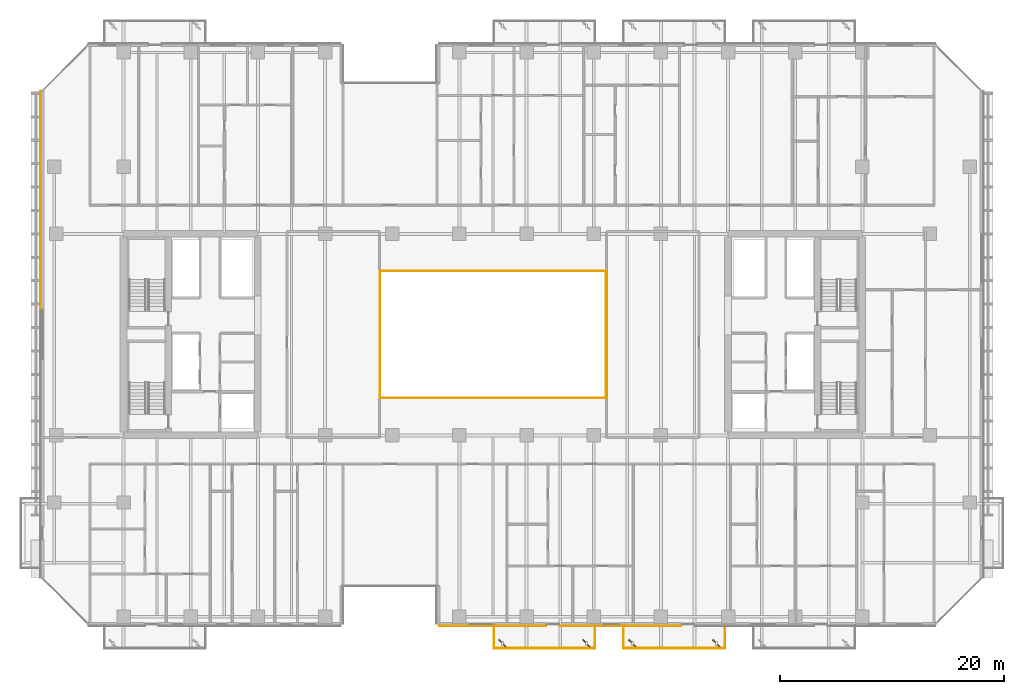
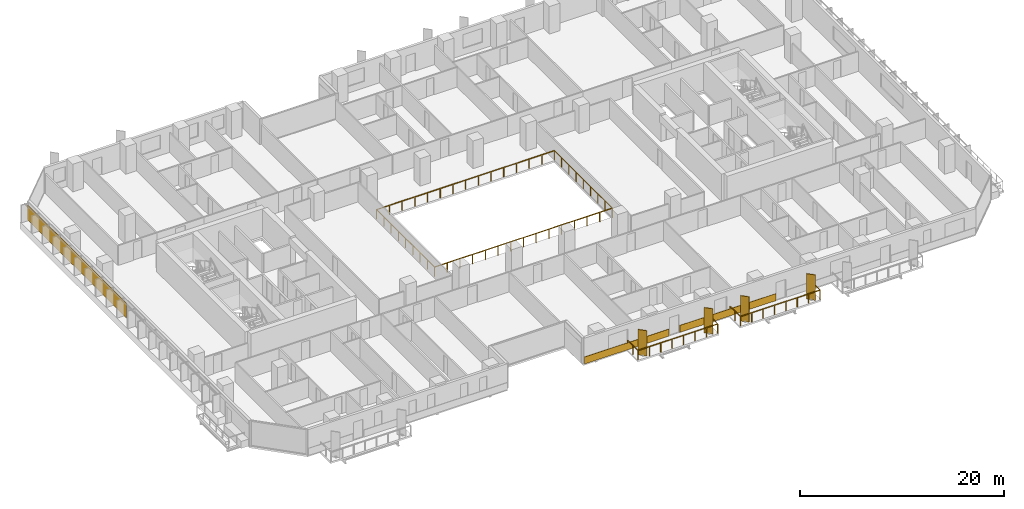
# One storey, part 28 of 33: 4 railings, 4 shading devices, 3 coverings.
"""IFC4 building model written with IfcOpenShell, lengths in metres."""

import ifcopenshell
import ifcopenshell.guid

model = None  # the IFC model being written
_history = None  # IfcOwnerHistory: only IFC2X3 demands one
_inside = {}  # id of a spatial element -> (the spatial element, [elements in it])
_under = {}  # id of a project, library or spatial element -> (it, [spatial elements below it])
_declared = {}  # id of a project -> (the project, [libraries it declares])
_typed = {}  # id of a type object -> (the type object, [elements of that type])
_made_of = {}  # id of a material, layer set ... -> (it, [elements and type objects made of it])


def new_model(schema):
    """Start an empty IFC model of exactly this schema.

    Asked for "IFC4X3", IfcOpenShell would pick the latest addendum, in which some entities
    have other attributes; the version numbers below select the first issue.
    IFC2X3 requires an IfcOwnerHistory on every rooted entity: one is made here for all.
    """
    global model, _history
    if schema == "IFC4X3":
        model = ifcopenshell.file(schema_version=(4, 3, 0, 0))
    else:
        model = ifcopenshell.file(schema=schema)
    _inside.clear()
    _under.clear()
    _declared.clear()
    _typed.clear()
    _made_of.clear()
    _history = None
    if model.schema == "IFC2X3":
        org = make("IfcOrganization", Name="unknown")
        user = make(
            "IfcPersonAndOrganization",
            ThePerson=make("IfcPerson", FamilyName="unknown"),
            TheOrganization=org,
        )
        app = make(
            "IfcApplication",
            ApplicationDeveloper=org,
            Version="unknown",
            ApplicationFullName="unknown",
            ApplicationIdentifier="unknown",
        )
        _history = make(
            "IfcOwnerHistory",
            OwningUser=user,
            OwningApplication=app,
            ChangeAction="ADDED",
            CreationDate=0,
        )
    return model


def make(cls, **values):
    """One entity of the class cls with the attributes given. An attribute that is None is left unset."""
    return model.create_entity(
        cls, **{name: value for name, value in values.items() if value is not None}
    )


def rooted(cls, **values):
    """An entity with a GlobalId (a new one), such as an element, a storey or a relation."""
    return make(cls, GlobalId=ifcopenshell.guid.new(), OwnerHistory=_history, **values)


def si_unit(unit_type, name, prefix=None):
    """IfcSIUnit, for example si_unit("LENGTHUNIT", "METRE", prefix="MILLI")."""
    return make("IfcSIUnit", UnitType=unit_type, Prefix=prefix, Name=name)


def assignment(units):
    """IfcUnitAssignment: the units of a project."""
    return None if units is None else make("IfcUnitAssignment", Units=units)


def point(xyz):
    """IfcCartesianPoint."""
    return None if xyz is None else make("IfcCartesianPoint", Coordinates=xyz)


def direction(xyz):
    """IfcDirection."""
    return None if xyz is None else make("IfcDirection", DirectionRatios=xyz)


def frame(location, z_axis=None, x_axis=None):
    """IfcAxis2Placement3D, a coordinate frame: its origin and axes. An axis left out is left unset."""
    return make(
        "IfcAxis2Placement3D",
        Location=point(location),
        Axis=direction(z_axis),
        RefDirection=direction(x_axis),
    )


def frame_2d(location, x_axis=None):
    """IfcAxis2Placement2D, a coordinate frame in the plane: its origin and x axis."""
    return make(
        "IfcAxis2Placement2D", Location=point(location), RefDirection=direction(x_axis)
    )


def origin():
    """The frame at (0, 0, 0) with its axes left unset."""
    return frame((0.0, 0.0, 0.0))


def origin_2d():
    """The frame at (0, 0) in the plane with its x axis left unset."""
    return frame_2d((0.0, 0.0))


def place(relative_to, where):
    """IfcLocalPlacement: puts the frame where relative to a parent placement (None: the world)."""
    return make(
        "IfcLocalPlacement", PlacementRelTo=relative_to, RelativePlacement=where
    )


def context(
    kind, dimensions, precision=None, world=None, true_north=None, identifier=None
):
    """IfcGeometricRepresentationContext, for example the 3D "Model" context."""
    return make(
        "IfcGeometricRepresentationContext",
        ContextIdentifier=identifier,
        ContextType=kind,
        CoordinateSpaceDimension=dimensions,
        Precision=precision,
        WorldCoordinateSystem=world,
        TrueNorth=true_north,
    )


def subcontext(parent, identifier, kind, view, scale=None):
    """IfcGeometricRepresentationSubContext, for example "Body" below "Model"."""
    return make(
        "IfcGeometricRepresentationSubContext",
        ContextIdentifier=identifier,
        ContextType=kind,
        ParentContext=parent,
        TargetScale=scale,
        TargetView=view,
    )


def project(units=None, contexts=None):
    """IfcProject with its units and contexts."""
    return rooted(
        "IfcProject",
        Name="project",
        RepresentationContexts=contexts,
        UnitsInContext=assignment(units),
    )


def spatial(cls, under=None, at=None, **own):
    """A site, building, storey or space (cls), placed at a placement, below another one or the project."""
    s = rooted(cls, ObjectPlacement=at, **own)
    if under is not None:
        _under.setdefault(under.id(), (under, []))[1].append(s)
    return s


def profile(cls, at=None, kind="AREA", **sizes):
    """A parametric profile (cls). Its sizes go by their IFC names, for example OverallWidth=200.0."""
    return make(cls, ProfileType=kind, Position=at, **sizes)


def rectangle(**sizes):
    """IfcRectangleProfileDef."""
    return profile("IfcRectangleProfileDef", **sizes)


def extrude(swept, where, along, depth):
    """IfcExtrudedAreaSolid: the profile swept, set in the frame where, extruded along a direction by depth."""
    return make(
        "IfcExtrudedAreaSolid",
        SweptArea=swept,
        Position=where,
        ExtrudedDirection=direction(along),
        Depth=depth,
    )


def shape(context_of_items, identifier, shape_type, items):
    """IfcShapeRepresentation: the items that make up one representation, for example the "Body"."""
    return make(
        "IfcShapeRepresentation",
        ContextOfItems=context_of_items,
        RepresentationIdentifier=identifier,
        RepresentationType=shape_type,
        Items=items,
    )


def material(Name=None, Category=None):
    """IfcMaterial."""
    return make("IfcMaterial", Name=Name, Category=Category)


def layer(
    of_material, thickness, ventilated=None, Name=None, Category=None, Priority=None
):
    """IfcMaterialLayer: one layer of a wall or slab, of a material (None: an air gap)."""
    return make(
        "IfcMaterialLayer",
        Material=of_material,
        LayerThickness=thickness,
        IsVentilated=ventilated,
        Name=Name,
        Category=Category,
        Priority=Priority,
    )


def layer_set(layers, Name=None):
    """IfcMaterialLayerSet."""
    return make("IfcMaterialLayerSet", MaterialLayers=layers, LayerSetName=Name)


def made_of(thing, what):
    """Note that an element or type object is made of a material, layer set ...; save() writes the relation."""
    if what is not None:
        _made_of.setdefault(what.id(), (what, []))[1].append(thing)
    return thing


def type_object(cls, material=None, **own):
    """A type object (cls), such as IfcWallType, which elements share."""
    return made_of(rooted(cls, **own), material)


def element(
    cls,
    number,
    at=None,
    inside=None,
    cuts=None,
    type_object=None,
    material=None,
    context=None,
    identifier="Body",
    shape_type=None,
    held_by="IfcProductDefinitionShape",
    body=None,
    shapes=None,
    **own,
):
    """One element of the class cls, such as IfcWall. Its Tag is "e" and its number.

    at: its placement. inside: the storey or other place that contains it. cuts: it is an
    opening in that element (IfcRelVoidsElement). A single representation is given by context,
    identifier, shape_type and body (its items); several are given by shapes. held_by: the class
    of the entity that holds the representations. save() writes the other relations.
    """
    e = rooted(cls, Tag="e%d" % number, ObjectPlacement=at, **own)
    if body is not None:
        shapes = [shape(context, identifier, shape_type, body)]
    if shapes is not None:
        e.Representation = make(held_by, Representations=shapes)
    if inside is not None:
        _inside.setdefault(inside.id(), (inside, []))[1].append(e)
    if cuts is not None:
        rooted(
            "IfcRelVoidsElement", RelatingBuildingElement=cuts, RelatedOpeningElement=e
        )
    if type_object is not None:
        _typed.setdefault(type_object.id(), (type_object, []))[1].append(e)
    return made_of(e, material)


def aggregate(whole, parts):
    """IfcRelAggregates: a whole, such as a stair, and the parts it consists of."""
    return rooted("IfcRelAggregates", RelatingObject=whole, RelatedObjects=parts)


def save(model, path):
    """Write the relations noted so far, then the file.

    IfcRelAggregates (storeys below a building ...), IfcRelContainedInSpatialStructure (elements
    in a storey), IfcRelDefinesByType, IfcRelAssociatesMaterial and IfcRelDeclares: one each for
    every whole, place, type object, material and project.
    """
    for whole, parts in _under.values():
        aggregate(whole, parts)
    for where, things in _inside.values():
        rooted(
            "IfcRelContainedInSpatialStructure",
            RelatedElements=things,
            RelatingStructure=where,
        )
    for kind, things in _typed.values():
        rooted("IfcRelDefinesByType", RelatedObjects=things, RelatingType=kind)
    for what, things in _made_of.values():
        rooted("IfcRelAssociatesMaterial", RelatedObjects=things, RelatingMaterial=what)
    for by, libraries in _declared.values():
        rooted("IfcRelDeclares", RelatingContext=by, RelatedDefinitions=libraries)
    model.write(path)


model = new_model("IFC4")

# Units and contexts
model_context = context("Model", 3, precision=1e-05, world=origin(), true_north=direction((0.0, 1.0)))
body_context = subcontext(model_context, "Body", "Model", "MODEL_VIEW")
ifc_project = project(units=[si_unit("LENGTHUNIT", "METRE"), si_unit("AREAUNIT", "SQUARE_METRE"), si_unit("VOLUMEUNIT", "CUBIC_METRE"), si_unit("PLANEANGLEUNIT", "RADIAN"), si_unit("MASSUNIT", "GRAM", prefix="KILO")], contexts=[model_context])

# Site, building, storey
site_placement = place(None, origin())
site = spatial("IfcSite", under=ifc_project, at=site_placement, CompositionType="ELEMENT")
building_placement = place(site_placement, origin())
building = spatial("IfcBuilding", under=site, at=building_placement, Name="Tanjung Sevakor Pilgrim Tower", CompositionType="ELEMENT")
storey_placement = place(building_placement, frame((0.0, 0.0, 35.639892578125)))
storey = spatial("IfcBuildingStorey", under=building, at=storey_placement, Name="L09", CompositionType="ELEMENT", Elevation=35.639892578125)

# Coverings
ifc_material_1 = material(Name="Reconstructed Limestone Cladding", Category="masonry")
ifc_layer = layer(ifc_material_1, 0.044921875)
ifc_layer_set = layer_set([ifc_layer], Name="COV-CLAD-LIMESTONE")
covering_type = type_object("IfcCoveringType", Name="COV-CLAD-LIMESTONE", PredefinedType="CLADDING", material=ifc_layer_set)
covering_1_placement = place(storey_placement, frame((56.9599609375, 7.577392578125, 0.01025390625), z_axis=(0.0, 0.0, 1.0), x_axis=(1.0, 0.0, 0.0)))
element("IfcCovering", 1, at=covering_1_placement, inside=storey, type_object=covering_type, Name="L09 Warm Limestone Sill Spandrel EW-L09-MAIN-5-1", PredefinedType="CLADDING", context=body_context, shape_type="SweptSolid", body=[
    extrude(rectangle(XDim=9.56005859375, YDim=0.044921875, at=origin_2d()), origin(), (0.0, 0.0, 1.0), 0.840087890625),
])
covering_2_placement = place(storey_placement, frame((68.39990234375, 7.577392578125, 0.01025390625), z_axis=(0.0, 0.0, 1.0), x_axis=(1.0, 0.0, 0.0)))
element("IfcCovering", 2, at=covering_2_placement, inside=storey, type_object=covering_type, Name="L09 Warm Limestone Sill Spandrel EW-L09-MAIN-5-2", PredefinedType="CLADDING", context=body_context, shape_type="SweptSolid", body=[
    extrude(rectangle(XDim=10.8798828125, YDim=0.044921875, at=origin_2d()), origin(), (0.0, 0.0, 1.0), 0.840087890625),
])
covering_3_placement = place(storey_placement, frame((16.577392578125, 45.575927734375, 0.85009765625), z_axis=(0.0, 0.0, 1.0), x_axis=(0.0, -1.0, 0.0)))
element("IfcCovering", 3, at=covering_3_placement, inside=storey, type_object=covering_type, Name="L09 Warm Limestone Pier Panel EW-L09-MAIN-15-1", PredefinedType="CLADDING", context=body_context, shape_type="SweptSolid", body=[
    extrude(rectangle(XDim=19.451904296875, YDim=0.044921875, at=origin_2d()), origin(), (0.0, 0.0, 1.0), 1.81005859375),
])

# Railings
ifc_material_2 = material(Name="Laminated Glass and Aluminium", Category="aluminium")
railing_type = type_object("IfcRailingType", Name="RL-BAL-BALUST", PredefinedType="BALUSTRADE", material=ifc_material_2)
railing_1_placement = place(storey_placement, frame((46.919921875, 27.919921875, 0.0)))
element("IfcRailing", 4, at=railing_1_placement, inside=storey, type_object=railing_type, Name="L09 Void Opening Balustrade 1A", PredefinedType="BALUSTRADE", context=body_context, shape_type="SweptSolid", body=[
    extrude(rectangle(XDim=0.0479, YDim=0.0479), frame((0.0, 0.0, 1.1259765625), z_axis=(1.0, 0.0, 0.0), x_axis=(0.0, 1.0, 0.0)), (0.0, 0.0, 1.0), 20.16015625),
    extrude(rectangle(XDim=0.0479, YDim=0.0479), frame((20.16015625, 0.0, 1.1259765625), z_axis=(0.0, 1.0, 0.0), x_axis=(-1.0, 0.0, 0.0)), (0.0, 0.0, 1.0), 11.360107421875),
    extrude(rectangle(XDim=0.042, YDim=0.042), origin(), (0.0, 0.0, 1.0), 1.101806640625),
    extrude(rectangle(XDim=0.042, YDim=0.042), frame((1.43994140625, 0.0, 0.0)), (0.0, 0.0, 1.0), 1.101806640625),
    extrude(rectangle(XDim=0.042, YDim=0.042), frame((2.880126953125, 0.0, 0.0)), (0.0, 0.0, 1.0), 1.101806640625),
    extrude(rectangle(XDim=0.042, YDim=0.042), frame((4.320068359375, 0.0, 0.0)), (0.0, 0.0, 1.0), 1.101806640625),
    extrude(rectangle(XDim=0.042, YDim=0.042), frame((5.760009765625, 0.0, 0.0)), (0.0, 0.0, 1.0), 1.101806640625),
    extrude(rectangle(XDim=0.042, YDim=0.042), frame((7.199951171875, 0.0, 0.0)), (0.0, 0.0, 1.0), 1.101806640625),
    extrude(rectangle(XDim=0.042, YDim=0.042), frame((8.64013671875, 0.0, 0.0)), (0.0, 0.0, 1.0), 1.101806640625),
    extrude(rectangle(XDim=0.042, YDim=0.042), frame((10.080078125, 0.0, 0.0)), (0.0, 0.0, 1.0), 1.101806640625),
    extrude(rectangle(XDim=0.042, YDim=0.042), frame((11.52001953125, 0.0, 0.0)), (0.0, 0.0, 1.0), 1.101806640625),
    extrude(rectangle(XDim=0.042, YDim=0.042), frame((12.960205078125, 0.0, 0.0)), (0.0, 0.0, 1.0), 1.101806640625),
    extrude(rectangle(XDim=0.042, YDim=0.042), frame((14.400146484375, 0.0, 0.0)), (0.0, 0.0, 1.0), 1.101806640625),
    extrude(rectangle(XDim=0.042, YDim=0.042), frame((15.840087890625, 0.0, 0.0)), (0.0, 0.0, 1.0), 1.101806640625),
    extrude(rectangle(XDim=0.042, YDim=0.042), frame((17.280029296875, 0.0, 0.0)), (0.0, 0.0, 1.0), 1.101806640625),
    extrude(rectangle(XDim=0.042, YDim=0.042), frame((18.72021484375, 0.0, 0.0)), (0.0, 0.0, 1.0), 1.101806640625),
    extrude(rectangle(XDim=0.042, YDim=0.042), frame((20.16015625, 0.0, 0.0)), (0.0, 0.0, 1.0), 1.101806640625),
    extrude(rectangle(XDim=0.042, YDim=0.042), frame((20.16015625, 1.419921875, 0.0)), (0.0, 0.0, 1.0), 1.101806640625),
    extrude(rectangle(XDim=0.042, YDim=0.042), frame((20.16015625, 2.840087890625, 0.0)), (0.0, 0.0, 1.0), 1.101806640625),
    extrude(rectangle(XDim=0.042, YDim=0.042), frame((20.16015625, 4.260009765625, 0.0)), (0.0, 0.0, 1.0), 1.101806640625),
    extrude(rectangle(XDim=0.042, YDim=0.042), frame((20.16015625, 5.68017578125, 0.0)), (0.0, 0.0, 1.0), 1.101806640625),
    extrude(rectangle(XDim=0.042, YDim=0.042), frame((20.16015625, 7.10009765625, 0.0)), (0.0, 0.0, 1.0), 1.101806640625),
    extrude(rectangle(XDim=0.042, YDim=0.042), frame((20.16015625, 8.52001953125, 0.0)), (0.0, 0.0, 1.0), 1.101806640625),
    extrude(rectangle(XDim=0.042, YDim=0.042), frame((20.16015625, 9.940185546875, 0.0)), (0.0, 0.0, 1.0), 1.101806640625),
    extrude(rectangle(XDim=0.042, YDim=0.042), frame((20.16015625, 11.360107421875, 0.0)), (0.0, 0.0, 1.0), 1.101806640625),
])
railing_2_placement = place(storey_placement, frame((67.080078125, 39.280029296875, 0.0)))
element("IfcRailing", 5, at=railing_2_placement, inside=storey, type_object=railing_type, Name="L09 Void Opening Balustrade 1B", PredefinedType="BALUSTRADE", context=body_context, shape_type="SweptSolid", body=[
    extrude(rectangle(XDim=0.0479, YDim=0.0479), frame((0.0, 0.0, 1.1259765625), z_axis=(-1.0, 0.0, 0.0), x_axis=(0.0, -1.0, 0.0)), (0.0, 0.0, 1.0), 20.16015625),
    extrude(rectangle(XDim=0.0479, YDim=0.0479), frame((-20.16015625, 0.0, 1.1259765625), z_axis=(0.0, -1.0, 0.0), x_axis=(1.0, 0.0, 0.0)), (0.0, 0.0, 1.0), 11.360107421875),
    extrude(rectangle(XDim=0.042, YDim=0.042), origin(), (0.0, 0.0, 1.0), 1.101806640625),
    extrude(rectangle(XDim=0.042, YDim=0.042), frame((-1.43994140625, 0.0, 0.0)), (0.0, 0.0, 1.0), 1.101806640625),
    extrude(rectangle(XDim=0.042, YDim=0.042), frame((-2.880126953125, 0.0, 0.0)), (0.0, 0.0, 1.0), 1.101806640625),
    extrude(rectangle(XDim=0.042, YDim=0.042), frame((-4.320068359375, 0.0, 0.0)), (0.0, 0.0, 1.0), 1.101806640625),
    extrude(rectangle(XDim=0.042, YDim=0.042), frame((-5.760009765625, 0.0, 0.0)), (0.0, 0.0, 1.0), 1.101806640625),
    extrude(rectangle(XDim=0.042, YDim=0.042), frame((-7.199951171875, 0.0, 0.0)), (0.0, 0.0, 1.0), 1.101806640625),
    extrude(rectangle(XDim=0.042, YDim=0.042), frame((-8.64013671875, 0.0, 0.0)), (0.0, 0.0, 1.0), 1.101806640625),
    extrude(rectangle(XDim=0.042, YDim=0.042), frame((-10.080078125, 0.0, 0.0)), (0.0, 0.0, 1.0), 1.101806640625),
    extrude(rectangle(XDim=0.042, YDim=0.042), frame((-11.52001953125, 0.0, 0.0)), (0.0, 0.0, 1.0), 1.101806640625),
    extrude(rectangle(XDim=0.042, YDim=0.042), frame((-12.960205078125, 0.0, 0.0)), (0.0, 0.0, 1.0), 1.101806640625),
    extrude(rectangle(XDim=0.042, YDim=0.042), frame((-14.400146484375, 0.0, 0.0)), (0.0, 0.0, 1.0), 1.101806640625),
    extrude(rectangle(XDim=0.042, YDim=0.042), frame((-15.840087890625, 0.0, 0.0)), (0.0, 0.0, 1.0), 1.101806640625),
    extrude(rectangle(XDim=0.042, YDim=0.042), frame((-17.280029296875, 0.0, 0.0)), (0.0, 0.0, 1.0), 1.101806640625),
    extrude(rectangle(XDim=0.042, YDim=0.042), frame((-18.72021484375, 0.0, 0.0)), (0.0, 0.0, 1.0), 1.101806640625),
    extrude(rectangle(XDim=0.042, YDim=0.042), frame((-20.16015625, 0.0, 0.0)), (0.0, 0.0, 1.0), 1.101806640625),
    extrude(rectangle(XDim=0.042, YDim=0.042), frame((-20.16015625, -1.419921875, 0.0)), (0.0, 0.0, 1.0), 1.101806640625),
    extrude(rectangle(XDim=0.042, YDim=0.042), frame((-20.16015625, -2.840087890625, 0.0)), (0.0, 0.0, 1.0), 1.101806640625),
    extrude(rectangle(XDim=0.042, YDim=0.042), frame((-20.16015625, -4.260009765625, 0.0)), (0.0, 0.0, 1.0), 1.101806640625),
    extrude(rectangle(XDim=0.042, YDim=0.042), frame((-20.16015625, -5.68017578125, 0.0)), (0.0, 0.0, 1.0), 1.101806640625),
    extrude(rectangle(XDim=0.042, YDim=0.042), frame((-20.16015625, -7.10009765625, 0.0)), (0.0, 0.0, 1.0), 1.101806640625),
    extrude(rectangle(XDim=0.042, YDim=0.042), frame((-20.16015625, -8.52001953125, 0.0)), (0.0, 0.0, 1.0), 1.101806640625),
    extrude(rectangle(XDim=0.042, YDim=0.042), frame((-20.16015625, -9.940185546875, 0.0)), (0.0, 0.0, 1.0), 1.101806640625),
    extrude(rectangle(XDim=0.042, YDim=0.042), frame((-20.16015625, -11.360107421875, 0.0)), (0.0, 0.0, 1.0), 1.101806640625),
])
railing_3_placement = place(storey_placement, frame((57.080078125, 7.60009765625, 0.0)))
element("IfcRailing", 6, at=railing_3_placement, inside=storey, type_object=railing_type, Name="L09 Loggia Balustrade MAIN-S2", PredefinedType="BALUSTRADE", context=body_context, shape_type="SweptSolid", body=[
    extrude(rectangle(XDim=0.0479, YDim=0.0479), frame((0.0, 0.0, 1.1259765625), z_axis=(0.0, -1.0, 0.0), x_axis=(1.0, 0.0, 0.0)), (0.0, 0.0, 1.0), 2.02001953125),
    extrude(rectangle(XDim=0.0479, YDim=0.0479), frame((0.0, -2.02001953125, 1.1259765625), z_axis=(1.0, 0.0, 0.0), x_axis=(0.0, 1.0, 0.0)), (0.0, 0.0, 1.0), 9.0400390625),
    extrude(rectangle(XDim=0.0479, YDim=0.0479), frame((9.0400390625, -2.02001953125, 1.1259765625), z_axis=(0.0, 1.0, 0.0), x_axis=(-1.0, 0.0, 0.0)), (0.0, 0.0, 1.0), 2.02001953125),
    extrude(rectangle(XDim=0.042, YDim=0.042), origin(), (0.0, 0.0, 1.0), 1.101806640625),
    extrude(rectangle(XDim=0.042, YDim=0.042), frame((0.0, -1.010009765625, 0.0)), (0.0, 0.0, 1.0), 1.101806640625),
    extrude(rectangle(XDim=0.042, YDim=0.042), frame((0.0, -2.02001953125, 0.0)), (0.0, 0.0, 1.0), 1.101806640625),
    extrude(rectangle(XDim=0.042, YDim=0.042), frame((1.29150390625, -2.02001953125, 0.0)), (0.0, 0.0, 1.0), 1.101806640625),
    extrude(rectangle(XDim=0.042, YDim=0.042), frame((2.582763671875, -2.02001953125, 0.0)), (0.0, 0.0, 1.0), 1.101806640625),
    extrude(rectangle(XDim=0.042, YDim=0.042), frame((3.874267578125, -2.02001953125, 0.0)), (0.0, 0.0, 1.0), 1.101806640625),
    extrude(rectangle(XDim=0.042, YDim=0.042), frame((5.165771484375, -2.02001953125, 0.0)), (0.0, 0.0, 1.0), 1.101806640625),
    extrude(rectangle(XDim=0.042, YDim=0.042), frame((6.457275390625, -2.02001953125, 0.0)), (0.0, 0.0, 1.0), 1.101806640625),
    extrude(rectangle(XDim=0.042, YDim=0.042), frame((7.74853515625, -2.02001953125, 0.0)), (0.0, 0.0, 1.0), 1.101806640625),
    extrude(rectangle(XDim=0.042, YDim=0.042), frame((9.0400390625, -2.02001953125, 0.0)), (0.0, 0.0, 1.0), 1.101806640625),
    extrude(rectangle(XDim=0.042, YDim=0.042), frame((9.0400390625, -1.010009765625, 0.0)), (0.0, 0.0, 1.0), 1.101806640625),
    extrude(rectangle(XDim=0.042, YDim=0.042), frame((9.0400390625, 0.0, 0.0)), (0.0, 0.0, 1.0), 1.101806640625),
])
railing_4_placement = place(storey_placement, frame((68.679931640625, 7.60009765625, 0.0)))
element("IfcRailing", 7, at=railing_4_placement, inside=storey, type_object=railing_type, Name="L09 Loggia Balustrade MAIN-S3", PredefinedType="BALUSTRADE", context=body_context, shape_type="SweptSolid", body=[
    extrude(rectangle(XDim=0.0479, YDim=0.0479), frame((0.0, 0.0, 1.1259765625), z_axis=(0.0, -1.0, 0.0), x_axis=(1.0, 0.0, 0.0)), (0.0, 0.0, 1.0), 2.02001953125),
    extrude(rectangle(XDim=0.0479, YDim=0.0479), frame((0.0, -2.02001953125, 1.1259765625), z_axis=(1.0, 0.0, 0.0), x_axis=(0.0, 1.0, 0.0)), (0.0, 0.0, 1.0), 9.0400390625),
    extrude(rectangle(XDim=0.0479, YDim=0.0479), frame((9.0400390625, -2.02001953125, 1.1259765625), z_axis=(0.0, 1.0, 0.0), x_axis=(-1.0, 0.0, 0.0)), (0.0, 0.0, 1.0), 2.02001953125),
    extrude(rectangle(XDim=0.042, YDim=0.042), origin(), (0.0, 0.0, 1.0), 1.101806640625),
    extrude(rectangle(XDim=0.042, YDim=0.042), frame((0.0, -1.010009765625, 0.0)), (0.0, 0.0, 1.0), 1.101806640625),
    extrude(rectangle(XDim=0.042, YDim=0.042), frame((0.0, -2.02001953125, 0.0)), (0.0, 0.0, 1.0), 1.101806640625),
    extrude(rectangle(XDim=0.042, YDim=0.042), frame((1.29150390625, -2.02001953125, 0.0)), (0.0, 0.0, 1.0), 1.101806640625),
    extrude(rectangle(XDim=0.042, YDim=0.042), frame((2.582763671875, -2.02001953125, 0.0)), (0.0, 0.0, 1.0), 1.101806640625),
    extrude(rectangle(XDim=0.042, YDim=0.042), frame((3.874267578125, -2.02001953125, 0.0)), (0.0, 0.0, 1.0), 1.101806640625),
    extrude(rectangle(XDim=0.042, YDim=0.042), frame((5.165771484375, -2.02001953125, 0.0)), (0.0, 0.0, 1.0), 1.101806640625),
    extrude(rectangle(XDim=0.042, YDim=0.042), frame((6.457275390625, -2.02001953125, 0.0)), (0.0, 0.0, 1.0), 1.101806640625),
    extrude(rectangle(XDim=0.042, YDim=0.042), frame((7.74853515625, -2.02001953125, 0.0)), (0.0, 0.0, 1.0), 1.101806640625),
    extrude(rectangle(XDim=0.042, YDim=0.042), frame((9.0400390625, -2.02001953125, 0.0)), (0.0, 0.0, 1.0), 1.101806640625),
    extrude(rectangle(XDim=0.042, YDim=0.042), frame((9.0400390625, -1.010009765625, 0.0)), (0.0, 0.0, 1.0), 1.101806640625),
    extrude(rectangle(XDim=0.042, YDim=0.042), frame((9.0400390625, 0.0, 0.0)), (0.0, 0.0, 1.0), 1.101806640625),
])

# Shading devices
ifc_material_3 = material(Name="Anodised Bronze Aluminium 6063-T6", Category="aluminium")
shading_device_type = type_object("IfcShadingDeviceType", Name="SHD-FIN-900A", PredefinedType="USERDEFINED", material=ifc_material_3)
for number, where, z_axis, x_axis, name in (
    (8, (57.85009765625, 6.02001953125, 0.0), (0.0, 0.0, 1.0), (0.707106781187, 0.707106781187, 0.0), "L09 Anodised Bronze Solar Fin 0005"),
    (9, (65.35009765625, 6.02001953125, 0.0), (0.0, 0.0, 1.0), (0.707106781187, 0.707106781187, 0.0), "L09 Anodised Bronze Solar Fin 0006"),
    (10, (69.449951171875, 6.02001953125, 0.0), (0.0, 0.0, 1.0), (0.707106781187, 0.707106781187, 0.0), "L09 Anodised Bronze Solar Fin 0009"),
    (11, (76.949951171875, 6.02001953125, 0.0), (0.0, 0.0, 1.0), (0.707106781187, 0.707106781187, 0.0), "L09 Anodised Bronze Solar Fin 0010"),
):
    element("IfcShadingDevice", number, at=place(storey_placement, frame(where, z_axis=z_axis, x_axis=x_axis)), inside=storey, type_object=shading_device_type, Name=name, ObjectType="FIN", PredefinedType="USERDEFINED", context=body_context, shape_type="SweptSolid", body=[
        extrude(rectangle(XDim=0.080078125, YDim=0.89990234375, at=origin_2d()), origin(), (0.0, 0.0, 1.0), 3.0400390625),
    ])

save(model, "model.ifc")
